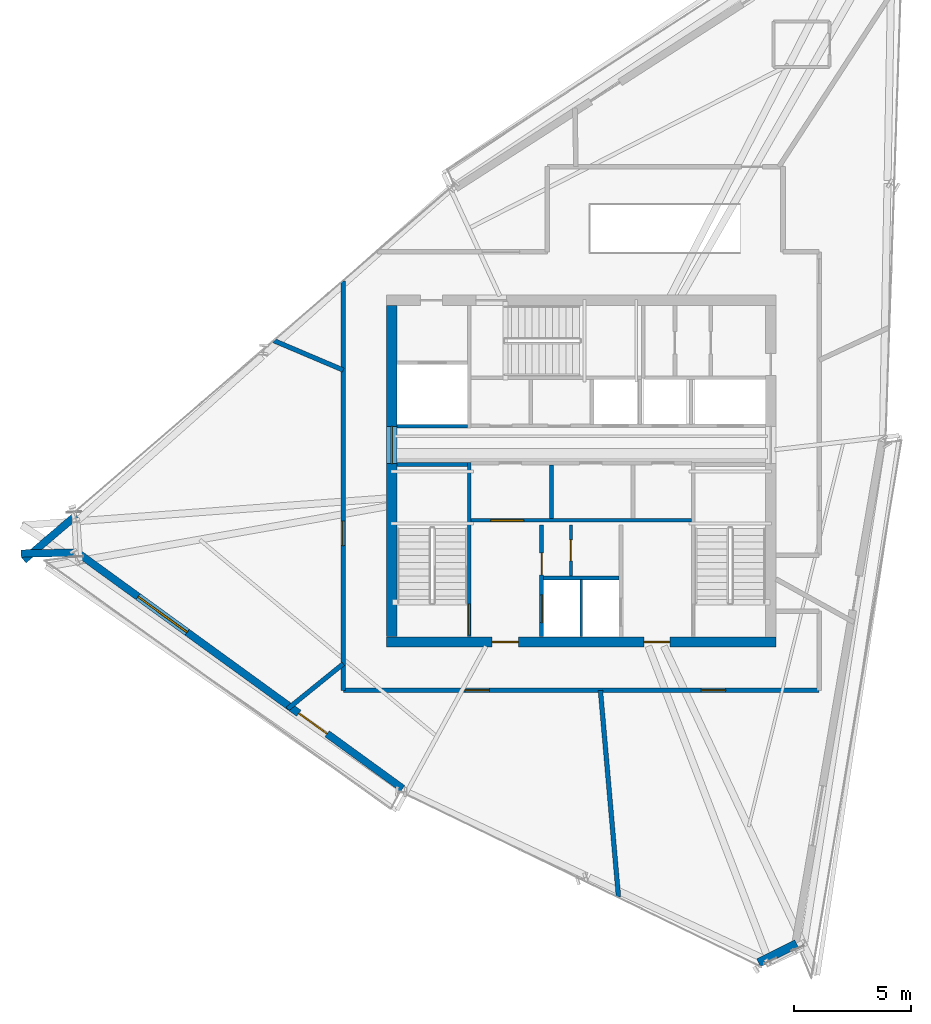
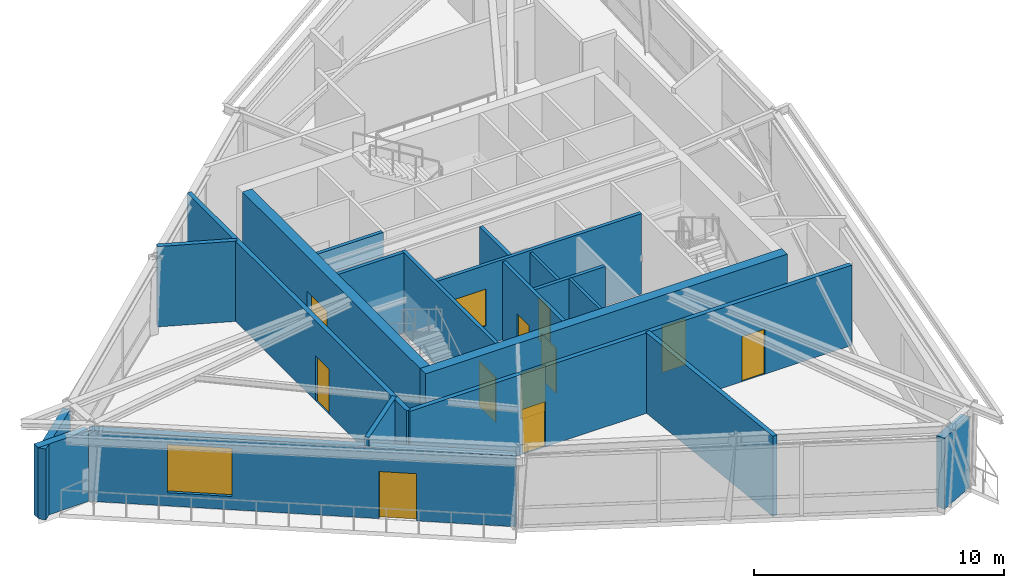
# One storey, part 17 of 22: 20 walls, 11 doors, 2 windows, 13 openings.
"""IFC4 building model written with IfcOpenShell, lengths in metres."""

import ifcopenshell
import ifcopenshell.guid

model = None  # the IFC model being written
_history = None  # IfcOwnerHistory: only IFC2X3 demands one
_inside = {}  # id of a spatial element -> (the spatial element, [elements in it])
_under = {}  # id of a project, library or spatial element -> (it, [spatial elements below it])
_declared = {}  # id of a project -> (the project, [libraries it declares])
_typed = {}  # id of a type object -> (the type object, [elements of that type])
_made_of = {}  # id of a material, layer set ... -> (it, [elements and type objects made of it])


def new_model(schema):
    """Start an empty IFC model of exactly this schema.

    Asked for "IFC4X3", IfcOpenShell would pick the latest addendum, in which some entities
    have other attributes; the version numbers below select the first issue.
    IFC2X3 requires an IfcOwnerHistory on every rooted entity: one is made here for all.
    """
    global model, _history
    if schema == "IFC4X3":
        model = ifcopenshell.file(schema_version=(4, 3, 0, 0))
    else:
        model = ifcopenshell.file(schema=schema)
    _inside.clear()
    _under.clear()
    _declared.clear()
    _typed.clear()
    _made_of.clear()
    _history = None
    if model.schema == "IFC2X3":
        org = make("IfcOrganization", Name="unknown")
        user = make(
            "IfcPersonAndOrganization",
            ThePerson=make("IfcPerson", FamilyName="unknown"),
            TheOrganization=org,
        )
        app = make(
            "IfcApplication",
            ApplicationDeveloper=org,
            Version="unknown",
            ApplicationFullName="unknown",
            ApplicationIdentifier="unknown",
        )
        _history = make(
            "IfcOwnerHistory",
            OwningUser=user,
            OwningApplication=app,
            ChangeAction="ADDED",
            CreationDate=0,
        )
    return model


def make(cls, **values):
    """One entity of the class cls with the attributes given. An attribute that is None is left unset."""
    return model.create_entity(
        cls, **{name: value for name, value in values.items() if value is not None}
    )


def rooted(cls, **values):
    """An entity with a GlobalId (a new one), such as an element, a storey or a relation."""
    return make(cls, GlobalId=ifcopenshell.guid.new(), OwnerHistory=_history, **values)


def si_unit(unit_type, name, prefix=None):
    """IfcSIUnit, for example si_unit("LENGTHUNIT", "METRE", prefix="MILLI")."""
    return make("IfcSIUnit", UnitType=unit_type, Prefix=prefix, Name=name)


def assignment(units):
    """IfcUnitAssignment: the units of a project."""
    return None if units is None else make("IfcUnitAssignment", Units=units)


def point(xyz):
    """IfcCartesianPoint."""
    return None if xyz is None else make("IfcCartesianPoint", Coordinates=xyz)


def direction(xyz):
    """IfcDirection."""
    return None if xyz is None else make("IfcDirection", DirectionRatios=xyz)


def frame(location, z_axis=None, x_axis=None):
    """IfcAxis2Placement3D, a coordinate frame: its origin and axes. An axis left out is left unset."""
    return make(
        "IfcAxis2Placement3D",
        Location=point(location),
        Axis=direction(z_axis),
        RefDirection=direction(x_axis),
    )


def frame_2d(location, x_axis=None):
    """IfcAxis2Placement2D, a coordinate frame in the plane: its origin and x axis."""
    return make(
        "IfcAxis2Placement2D", Location=point(location), RefDirection=direction(x_axis)
    )


def origin():
    """The frame at (0, 0, 0) with its axes left unset."""
    return frame((0.0, 0.0, 0.0))


def place(relative_to, where):
    """IfcLocalPlacement: puts the frame where relative to a parent placement (None: the world)."""
    return make(
        "IfcLocalPlacement", PlacementRelTo=relative_to, RelativePlacement=where
    )


def context(
    kind, dimensions, precision=None, world=None, true_north=None, identifier=None
):
    """IfcGeometricRepresentationContext, for example the 3D "Model" context."""
    return make(
        "IfcGeometricRepresentationContext",
        ContextIdentifier=identifier,
        ContextType=kind,
        CoordinateSpaceDimension=dimensions,
        Precision=precision,
        WorldCoordinateSystem=world,
        TrueNorth=true_north,
    )


def subcontext(parent, identifier, kind, view, scale=None):
    """IfcGeometricRepresentationSubContext, for example "Body" below "Model"."""
    return make(
        "IfcGeometricRepresentationSubContext",
        ContextIdentifier=identifier,
        ContextType=kind,
        ParentContext=parent,
        TargetScale=scale,
        TargetView=view,
    )


def project(units=None, contexts=None):
    """IfcProject with its units and contexts."""
    return rooted(
        "IfcProject",
        Name="project",
        RepresentationContexts=contexts,
        UnitsInContext=assignment(units),
    )


def spatial(cls, under=None, at=None, **own):
    """A site, building, storey or space (cls), placed at a placement, below another one or the project."""
    s = rooted(cls, ObjectPlacement=at, **own)
    if under is not None:
        _under.setdefault(under.id(), (under, []))[1].append(s)
    return s


def profile(cls, at=None, kind="AREA", **sizes):
    """A parametric profile (cls). Its sizes go by their IFC names, for example OverallWidth=200.0."""
    return make(cls, ProfileType=kind, Position=at, **sizes)


def rectangle(**sizes):
    """IfcRectangleProfileDef."""
    return profile("IfcRectangleProfileDef", **sizes)


def extrude(swept, where, along, depth):
    """IfcExtrudedAreaSolid: the profile swept, set in the frame where, extruded along a direction by depth."""
    return make(
        "IfcExtrudedAreaSolid",
        SweptArea=swept,
        Position=where,
        ExtrudedDirection=direction(along),
        Depth=depth,
    )


def shape(context_of_items, identifier, shape_type, items):
    """IfcShapeRepresentation: the items that make up one representation, for example the "Body"."""
    return make(
        "IfcShapeRepresentation",
        ContextOfItems=context_of_items,
        RepresentationIdentifier=identifier,
        RepresentationType=shape_type,
        Items=items,
    )


def source(mapping_origin, context_of_items, identifier, shape_type, items):
    """IfcRepresentationMap: a shape defined once, which mapped items show again and again."""
    return make(
        "IfcRepresentationMap",
        MappingOrigin=mapping_origin,
        MappedRepresentation=shape(context_of_items, identifier, shape_type, items),
    )


def transform(
    local_origin,
    x_axis=None,
    y_axis=None,
    z_axis=None,
    scale=None,
    scale2=None,
    scale3=None,
    uniform=True,
):
    """IfcCartesianTransformationOperator3D, or its non-uniform kind. x_axis, y_axis, z_axis: its Axis1, 2, 3."""
    if uniform:
        return make(
            "IfcCartesianTransformationOperator3D",
            Axis1=direction(x_axis),
            Axis2=direction(y_axis),
            LocalOrigin=point(local_origin),
            Scale=scale,
            Axis3=direction(z_axis),
        )
    return make(
        "IfcCartesianTransformationOperator3DnonUniform",
        Axis1=direction(x_axis),
        Axis2=direction(y_axis),
        LocalOrigin=point(local_origin),
        Scale=scale,
        Axis3=direction(z_axis),
        Scale2=scale2,
        Scale3=scale3,
    )


def mapped(mapping_source, mapping_target):
    """IfcMappedItem: shows the shape of a source again, moved by a transform."""
    return make(
        "IfcMappedItem", MappingSource=mapping_source, MappingTarget=mapping_target
    )


def material(Name=None, Category=None):
    """IfcMaterial."""
    return make("IfcMaterial", Name=Name, Category=Category)


def layer(
    of_material, thickness, ventilated=None, Name=None, Category=None, Priority=None
):
    """IfcMaterialLayer: one layer of a wall or slab, of a material (None: an air gap)."""
    return make(
        "IfcMaterialLayer",
        Material=of_material,
        LayerThickness=thickness,
        IsVentilated=ventilated,
        Name=Name,
        Category=Category,
        Priority=Priority,
    )


def layer_set(layers, Name=None):
    """IfcMaterialLayerSet."""
    return make("IfcMaterialLayerSet", MaterialLayers=layers, LayerSetName=Name)


def made_of(thing, what):
    """Note that an element or type object is made of a material, layer set ...; save() writes the relation."""
    if what is not None:
        _made_of.setdefault(what.id(), (what, []))[1].append(thing)
    return thing


def type_object(cls, material=None, **own):
    """A type object (cls), such as IfcWallType, which elements share."""
    return made_of(rooted(cls, **own), material)


def type_shapes(of_type, sources):
    """Give a type object the sources (RepresentationMaps) that its elements show as mapped items."""
    of_type.RepresentationMaps = sources


def element(
    cls,
    number,
    at=None,
    inside=None,
    cuts=None,
    type_object=None,
    material=None,
    context=None,
    identifier="Body",
    shape_type=None,
    held_by="IfcProductDefinitionShape",
    body=None,
    shapes=None,
    **own,
):
    """One element of the class cls, such as IfcWall. Its Tag is "e" and its number.

    at: its placement. inside: the storey or other place that contains it. cuts: it is an
    opening in that element (IfcRelVoidsElement). A single representation is given by context,
    identifier, shape_type and body (its items); several are given by shapes. held_by: the class
    of the entity that holds the representations. save() writes the other relations.
    """
    e = rooted(cls, Tag="e%d" % number, ObjectPlacement=at, **own)
    if body is not None:
        shapes = [shape(context, identifier, shape_type, body)]
    if shapes is not None:
        e.Representation = make(held_by, Representations=shapes)
    if inside is not None:
        _inside.setdefault(inside.id(), (inside, []))[1].append(e)
    if cuts is not None:
        rooted(
            "IfcRelVoidsElement", RelatingBuildingElement=cuts, RelatedOpeningElement=e
        )
    if type_object is not None:
        _typed.setdefault(type_object.id(), (type_object, []))[1].append(e)
    return made_of(e, material)


def fill(opening, filler):
    """IfcRelFillsElement: the door or window that sits in an opening."""
    return rooted(
        "IfcRelFillsElement",
        RelatingOpeningElement=opening,
        RelatedBuildingElement=filler,
    )


def aggregate(whole, parts):
    """IfcRelAggregates: a whole, such as a stair, and the parts it consists of."""
    return rooted("IfcRelAggregates", RelatingObject=whole, RelatedObjects=parts)


def save(model, path):
    """Write the relations noted so far, then the file.

    IfcRelAggregates (storeys below a building ...), IfcRelContainedInSpatialStructure (elements
    in a storey), IfcRelDefinesByType, IfcRelAssociatesMaterial and IfcRelDeclares: one each for
    every whole, place, type object, material and project.
    """
    for whole, parts in _under.values():
        aggregate(whole, parts)
    for where, things in _inside.values():
        rooted(
            "IfcRelContainedInSpatialStructure",
            RelatedElements=things,
            RelatingStructure=where,
        )
    for kind, things in _typed.values():
        rooted("IfcRelDefinesByType", RelatedObjects=things, RelatingType=kind)
    for what, things in _made_of.values():
        rooted("IfcRelAssociatesMaterial", RelatedObjects=things, RelatingMaterial=what)
    for by, libraries in _declared.values():
        rooted("IfcRelDeclares", RelatingContext=by, RelatedDefinitions=libraries)
    model.write(path)


model = new_model("IFC4")

# Units and contexts
model_context = context("Model", 3, precision=1e-05, world=origin(), true_north=direction((0.0, 1.0)))
body_context = subcontext(model_context, "Body", "Model", "MODEL_VIEW")
ifc_project = project(units=[si_unit("LENGTHUNIT", "METRE"), si_unit("AREAUNIT", "SQUARE_METRE"), si_unit("VOLUMEUNIT", "CUBIC_METRE"), si_unit("PLANEANGLEUNIT", "RADIAN"), si_unit("MASSUNIT", "GRAM", prefix="KILO")], contexts=[model_context])

# Site, building, storey
site_placement = place(None, origin())
site = spatial("IfcSite", under=ifc_project, at=site_placement, CompositionType="ELEMENT")
building_placement = place(site_placement, origin())
building = spatial("IfcBuilding", under=site, at=building_placement, Name="Olszyna Solenne Hotel", CompositionType="ELEMENT")
storey_placement = place(building_placement, frame((0.0, 0.0, 281.89990234375)))
storey = spatial("IfcBuildingStorey", under=building, at=storey_placement, Name="L75", CompositionType="ELEMENT", Elevation=281.89990234375)

# Wall, openings, doors
ifc_material_1 = material(Name="Concrete C50/60", Category="concrete")
ifc_layer_1 = layer(ifc_material_1, 0.449951171875, Name="Concrete C50/60")
ifc_layer_set_1 = layer_set([ifc_layer_1], Name="Concrete C50/60")
wall_type_1 = type_object("IfcWallType", Name="WL-CR450", PredefinedType="SHEAR", material=ifc_layer_set_1)
wall_1_placement = place(storey_placement, frame((46.35009765625, 19.27490234375, 0.0), z_axis=(0.0, 0.0, 1.0), x_axis=(-1.0, 0.0, 0.0)))
wall_1 = element("IfcWall", 1, at=wall_1_placement, inside=storey, type_object=wall_type_1, Name="Core shear wall WL-CR450 CRW-L75-S", PredefinedType="SHEAR", context=body_context, shape_type="SweptSolid", body=[
    extrude(rectangle(XDim=16.7001953125, YDim=0.449951171875, at=frame_2d((8.35009765625, 0.0))), origin(), (0.0, 0.0, 1.0), 3.920166015625),
])
opening_1_placement = place(wall_1_placement, frame((4.550048828125, 0.0, 0.0)))
opening_1 = element("IfcOpeningElement", 2, at=opening_1_placement, cuts=wall_1, Name="Opening FL-L75-1", PredefinedType="OPENING", context=body_context, shape_type="SweptSolid", body=[
    extrude(rectangle(XDim=1.1201171875, YDim=2.25, at=frame_2d((0.56005859375, 1.125))), frame((0.0, 0.23486328125, 0.0), z_axis=(0.0, -1.0, 0.0), x_axis=(1.0, 0.0, 0.0)), (0.0, 0.0, 1.0), 0.469970703125),
])
opening_2_placement = place(wall_1_placement, frame((11.050048828125, 0.0, 0.0)))
opening_2 = element("IfcOpeningElement", 3, at=opening_2_placement, cuts=wall_1, Name="Opening FL-L75-2", PredefinedType="OPENING", context=body_context, shape_type="SweptSolid", body=[
    extrude(rectangle(XDim=1.1201171875, YDim=2.25, at=frame_2d((0.56005859375, 1.125))), frame((0.0, 0.23486328125, 0.0), z_axis=(0.0, -1.0, 0.0), x_axis=(1.0, 0.0, 0.0)), (0.0, 0.0, 1.0), 0.469970703125),
])
ifc_material_2 = material(Name="Steel S355J2", Category="steel")
door_type_1 = type_object("IfcDoorType", Name="DR-FL1", OperationType="NOTDEFINED", PredefinedType="DOOR", material=ifc_material_2)
shared_shape_1 = source(origin(), body_context, "Body", "SweptSolid", [
    extrude(rectangle(XDim=1.1201171875, YDim=2.25, at=frame_2d((0.56005859375, 1.125))), frame((0.0, 0.02490234375, 0.0), z_axis=(0.0, -1.0, 0.0), x_axis=(1.0, 0.0, 0.0)), (0.0, 0.0, 1.0), 0.050048828125),
])
type_shapes(door_type_1, [shared_shape_1])
door_1_placement = place(opening_1_placement, origin())
door_1 = element("IfcDoor", 4, at=door_1_placement, inside=storey, type_object=door_type_1, Name="Firefighting lift lobby smoke door FL-L75-1", OperationType="SINGLE_SWING_LEFT", OverallHeight=2.25, OverallWidth=1.1201171875, PredefinedType="DOOR", context=body_context, shape_type="MappedRepresentation", body=[
    mapped(shared_shape_1, transform((0.0, 0.0, 0.0), x_axis=(1.0, 0.0, 0.0), y_axis=(0.0, 1.0, 0.0), z_axis=(0.0, 0.0, 1.0), scale=1.0)),
])
fill(opening_1, door_1)
door_2_placement = place(opening_2_placement, origin())
door_2 = element("IfcDoor", 5, at=door_2_placement, inside=storey, type_object=door_type_1, Name="Firefighting lift lobby smoke door FL-L75-2", OperationType="SINGLE_SWING_RIGHT", OverallHeight=2.25, OverallWidth=1.1201171875, PredefinedType="DOOR", context=body_context, shape_type="MappedRepresentation", body=[
    mapped(shared_shape_1, transform((0.0, 0.0, 0.0), x_axis=(1.0, 0.0, 0.0), y_axis=(0.0, 1.0, 0.0), z_axis=(0.0, 0.0, 1.0), scale=1.0)),
])
fill(opening_2, door_2)

# Wall, opening, door
wall_2_placement = place(storey_placement, frame((29.875, 19.5, 0.0), z_axis=(0.0, 0.0, 1.0), x_axis=(0.0, 1.0, 0.0)))
wall_2 = element("IfcWall", 6, at=wall_2_placement, inside=storey, type_object=wall_type_1, Name="Core shear wall WL-CR450 CRW-L75-W", PredefinedType="SHEAR", context=body_context, shape_type="SweptSolid", body=[
    extrude(rectangle(XDim=14.199951171875, YDim=0.449951171875, at=frame_2d((7.10009765625, 0.0))), origin(), (0.0, 0.0, 1.0), 3.920166015625),
])
opening_3_placement = place(wall_2_placement, frame((7.419921875, 0.0, 0.0)))
opening_3 = element("IfcOpeningElement", 7, at=opening_3_placement, cuts=wall_2, Name="Opening LHD-L75-W", PredefinedType="OPENING", context=body_context, shape_type="SweptSolid", body=[
    extrude(rectangle(XDim=1.60009765625, YDim=2.199951171875, at=frame_2d((0.800048828125, 1.10009765625))), frame((0.0, 0.23486328125, 0.0), z_axis=(0.0, -1.0, 0.0), x_axis=(1.0, 0.0, 0.0)), (0.0, 0.0, 1.0), 0.469970703125),
])
ifc_material_3 = material(Name="Timber hardwood", Category="wood")
door_type_2 = type_object("IfcDoorType", Name="DR-CR1", OperationType="DOUBLE_DOOR_SINGLE_SWING", PredefinedType="DOOR", material=ifc_material_3)
shared_shape_2 = source(origin(), body_context, "Body", "SweptSolid", [
    extrude(rectangle(XDim=1.60009765625, YDim=2.199951171875, at=frame_2d((0.800048828125, 1.10009765625))), frame((0.0, 0.02490234375, 0.0), z_axis=(0.0, -1.0, 0.0), x_axis=(1.0, 0.0, 0.0)), (0.0, 0.0, 1.0), 0.050048828125),
])
type_shapes(door_type_2, [shared_shape_2])
door_3_placement = place(opening_3_placement, origin())
door_3 = element("IfcDoor", 8, at=door_3_placement, inside=storey, type_object=door_type_2, Name="Passenger lift lobby West fire door LHD-L75-W", OperationType="DOUBLE_DOOR_SINGLE_SWING", OverallHeight=2.199951171875, OverallWidth=1.60009765625, PredefinedType="DOOR", context=body_context, shape_type="MappedRepresentation", body=[
    mapped(shared_shape_2, transform((0.0, 0.0, 0.0), x_axis=(1.0, 0.0, 0.0), y_axis=(0.0, 1.0, 0.0), z_axis=(0.0, 0.0, 1.0), scale=1.0)),
])
fill(opening_3, door_3)

# Wall, openings, door, window
ifc_material_4 = material(Name="Precast concrete C45/55", Category="concrete")
ifc_layer_2 = layer(ifc_material_4, 0.320068359375, Name="Precast concrete C45/55")
ifc_layer_set_2 = layer_set([ifc_layer_2], Name="Precast concrete C45/55")
wall_type_2 = type_object("IfcWallType", Name="WL-EX320", PredefinedType="SOLIDWALL", material=ifc_layer_set_2)
wall_3_placement = place(storey_placement, frame((30.342041015625, 12.992919921875, 0.0), z_axis=(0.0, 0.0, 1.0), x_axis=(-0.80942781076, 0.587219396111, 0.0)))
wall_3 = element("IfcWall", 9, at=wall_3_placement, inside=storey, type_object=wall_type_2, Name="Exterior terracotta-precast frame wall WL-EX320 EW-L75-04", PredefinedType="SOLIDWALL", context=body_context, shape_type="SweptSolid", body=[
    extrude(rectangle(XDim=17.171630859375, YDim=0.320068359375, at=frame_2d((8.5859375, 0.0))), origin(), (0.0, 0.0, 1.0), 3.462158203125),
])
opening_4_placement = place(wall_3_placement, frame((3.9951171875, 0.0, 0.0)))
opening_4 = element("IfcOpeningElement", 10, at=opening_4_placement, cuts=wall_3, Name="Opening LDG-L75-2", PredefinedType="OPENING", context=body_context, shape_type="SweptSolid", body=[
    extrude(rectangle(XDim=1.5, YDim=2.300048828125, at=frame_2d((0.75, 1.14990234375))), frame((0.0, 0.169921875, 0.0), z_axis=(0.0, -1.0, 0.0), x_axis=(1.0, 0.0, 0.0)), (0.0, 0.0, 1.0), 0.340087890625),
])
opening_5_placement = place(wall_3_placement, frame((11.406982421875, 0.0, 0.64990234375)))
opening_5 = element("IfcOpeningElement", 11, at=opening_5_placement, cuts=wall_3, Name="Opening WN-L75-498", PredefinedType="OPENING", context=body_context, shape_type="SweptSolid", body=[
    extrude(rectangle(XDim=2.60009765625, YDim=2.35009765625, at=frame_2d((1.300048828125, 1.175048828125))), frame((0.0, 0.169921875, 0.0), z_axis=(0.0, -1.0, 0.0), x_axis=(1.0, 0.0, 0.0)), (0.0, 0.0, 1.0), 0.340087890625),
])
ifc_material_5 = material(Name="Anodised bronze aluminium", Category="aluminium")
door_type_3 = type_object("IfcDoorType", Name="DR-LG2", OperationType="DOUBLE_DOOR_SINGLE_SWING", PredefinedType="DOOR", material=ifc_material_5)
shared_shape_3 = source(origin(), body_context, "Body", "SweptSolid", [
    extrude(rectangle(XDim=1.5, YDim=2.300048828125, at=frame_2d((0.75, 1.14990234375))), frame((0.0, 0.02490234375, 0.0), z_axis=(0.0, -1.0, 0.0), x_axis=(1.0, 0.0, 0.0)), (0.0, 0.0, 1.0), 0.050048828125),
])
type_shapes(door_type_3, [shared_shape_3])
door_4_placement = place(opening_4_placement, origin())
door_4 = element("IfcDoor", 12, at=door_4_placement, inside=storey, type_object=door_type_3, Name="Exterior loggia balcony door DR-LG2 LDG-L75-2", OperationType="DOUBLE_DOOR_SINGLE_SWING", OverallHeight=2.300048828125, OverallWidth=1.5, PredefinedType="DOOR", context=body_context, shape_type="MappedRepresentation", body=[
    mapped(shared_shape_3, transform((0.0, 0.0, 0.0), x_axis=(1.0, 0.0, 0.0), y_axis=(0.0, 1.0, 0.0), z_axis=(0.0, 0.0, 1.0), scale=1.0)),
])
fill(opening_4, door_4)
ifc_material_6 = material(Name="Low-E triple glazing", Category="glass")
window_type_1 = type_object("IfcWindowType", Name="WN-ST1", PartitioningType="SINGLE_PANEL", PredefinedType="WINDOW", material=ifc_material_6)
shared_shape_4 = source(origin(), body_context, "Body", "SweptSolid", [
    extrude(rectangle(XDim=2.60009765625, YDim=2.35009765625, at=frame_2d((1.300048828125, 1.175048828125))), frame((0.0, 0.030029296875, 0.0), z_axis=(0.0, -1.0, 0.0), x_axis=(1.0, 0.0, 0.0)), (0.0, 0.0, 1.0), 0.06005859375),
])
type_shapes(window_type_1, [shared_shape_4])
window_1_placement = place(opening_5_placement, origin())
window_1 = element("IfcWindow", 13, at=window_1_placement, inside=storey, type_object=window_type_1, Name="Loggia room window WN-ST1 WN-L75-498", OverallHeight=2.35009765625, OverallWidth=2.60009765625, PartitioningType="SINGLE_PANEL", PredefinedType="WINDOW", context=body_context, shape_type="MappedRepresentation", body=[
    mapped(shared_shape_4, transform((0.0, 0.0, 0.0), x_axis=(1.0, 0.0, 0.0), y_axis=(0.0, 1.0, 0.0), z_axis=(0.0, 0.0, 1.0), scale=1.0)),
])
fill(opening_5, window_1)

# Walls
wall_4_placement = place(storey_placement, frame((16.34619140625, 23.10693359375, 0.0), z_axis=(0.0, 0.0, 1.0), x_axis=(-0.99984786229, -0.01744282875, 0.0)))
element("IfcWall", 14, at=wall_4_placement, inside=storey, type_object=wall_type_2, Name="Exterior terracotta-precast frame wall WL-EX320 EW-L75-05", PredefinedType="SOLIDWALL", context=body_context, shape_type="SweptSolid", body=[
    extrude(rectangle(XDim=2.351318359375, YDim=0.320068359375, at=frame_2d((1.17578125, 0.0))), origin(), (0.0, 0.0, 1.0), 3.462158203125),
])
wall_5_placement = place(storey_placement, frame((14.101806640625, 22.7841796875, 0.0), z_axis=(0.0, 0.0, 1.0), x_axis=(0.760365209759, 0.649495764257, 0.0)))
element("IfcWall", 15, at=wall_5_placement, inside=storey, type_object=wall_type_2, Name="Exterior terracotta-precast frame wall WL-EX320 EW-L75-06", PredefinedType="SOLIDWALL", context=body_context, shape_type="SweptSolid", body=[
    extrude(rectangle(XDim=2.966064453125, YDim=0.320068359375, at=frame_2d((1.48291015625, 0.0))), origin(), (0.0, 0.0, 1.0), 3.462158203125),
])
ifc_material_7 = material(Name="Terracotta cladding on precast concrete C45/55", Category="masonry")
ifc_layer_3 = layer(ifc_material_7, 0.3798828125, Name="Terracotta cladding on precast concrete C45/55")
ifc_layer_set_3 = layer_set([ifc_layer_3], Name="Terracotta cladding on precast concrete C45/55")
wall_type_3 = type_object("IfcWallType", Name="WL-EX380", PredefinedType="SOLIDWALL", material=ifc_layer_set_3)
wall_6_placement = place(storey_placement, frame((47.23095703125, 6.337158203125, 0.0), z_axis=(0.0, 0.0, 1.0), x_axis=(-0.894131681519, -0.44780412694, 0.0)))
element("IfcWall", 16, at=wall_6_placement, inside=storey, type_object=wall_type_3, Name="Exterior terracotta-precast frame wall WL-EX380 EW-L75-02", PredefinedType="SOLIDWALL", context=body_context, shape_type="SweptSolid", body=[
    extrude(rectangle(XDim=1.81884765625, YDim=0.3798828125, at=frame_2d((0.909423828125, 0.0))), origin(), (0.0, 0.0, 1.0), 3.462158203125),
])
ifc_material_8 = material(Name="Acoustic gypsum partition", Category="gypsum")
ifc_layer_4 = layer(ifc_material_8, 0.125, Name="Acoustic gypsum partition")
ifc_layer_set_4 = layer_set([ifc_layer_4], Name="Acoustic gypsum partition")
wall_type_4 = type_object("IfcWallType", Name="WL-PT125", PredefinedType="PARTITIONING", material=ifc_layer_set_4)
wall_7_placement = place(storey_placement, frame((38.0, 19.5, 0.0), z_axis=(0.0, 0.0, 1.0), x_axis=(0.0, 1.0, 0.0)))
element("IfcWall", 17, at=wall_7_placement, inside=storey, type_object=wall_type_4, Name="Core shaft compartment wall CW-L75-FFM", PredefinedType="PARTITIONING", context=body_context, shape_type="SweptSolid", body=[
    extrude(rectangle(XDim=2.4599609375, YDim=0.125, at=frame_2d((1.22998046875, 0.0))), origin(), (0.0, 0.0, 1.0), 3.920166015625),
])

# Wall, opening, door
wall_8_placement = place(storey_placement, frame((37.553955078125, 22.10009765625, 0.0), z_axis=(0.0, 0.0, 1.0), x_axis=(0.0, 1.0, 0.0)))
wall_8 = element("IfcWall", 18, at=wall_8_placement, inside=storey, type_object=wall_type_4, Name="Core shaft compartment wall CW-L75-SC3", PredefinedType="PARTITIONING", context=body_context, shape_type="SweptSolid", body=[
    extrude(rectangle(XDim=2.179931640625, YDim=0.125, at=frame_2d((1.08984375, 0.0))), origin(), (0.0, 0.0, 1.0), 3.920166015625),
])
opening_6_placement = place(wall_8_placement, frame((0.64990234375, 0.0, 0.0)))
opening_6 = element("IfcOpeningElement", 19, at=opening_6_placement, cuts=wall_8, Name="Opening SVD-L75-SC3", PredefinedType="OPENING", context=body_context, shape_type="SweptSolid", body=[
    extrude(rectangle(XDim=0.89990234375, YDim=2.10009765625, at=frame_2d((0.449951171875, 1.050048828125))), frame((0.0, 0.072509765625, 0.0), z_axis=(0.0, -1.0, 0.0), x_axis=(1.0, 0.0, 0.0)), (0.0, 0.0, 1.0), 0.14501953125),
])
door_type_4 = type_object("IfcDoorType", Name="DR-WC1", OperationType="NOTDEFINED", PredefinedType="DOOR", material=ifc_material_3)
shared_shape_5 = source(origin(), body_context, "Body", "SweptSolid", [
    extrude(rectangle(XDim=0.89990234375, YDim=2.10009765625, at=frame_2d((0.449951171875, 1.050048828125))), frame((0.0, 0.02490234375, 0.0), z_axis=(0.0, -1.0, 0.0), x_axis=(1.0, 0.0, 0.0)), (0.0, 0.0, 1.0), 0.050048828125),
])
type_shapes(door_type_4, [shared_shape_5])
door_5_placement = place(opening_6_placement, origin())
door_5 = element("IfcDoor", 20, at=door_5_placement, inside=storey, type_object=door_type_4, Name="Trolley bay door SVD-L75-SC3", OperationType="SINGLE_SWING_LEFT", OverallHeight=2.10009765625, OverallWidth=0.89990234375, PredefinedType="DOOR", context=body_context, shape_type="MappedRepresentation", body=[
    mapped(shared_shape_5, transform((0.0, 0.0, 0.0), x_axis=(1.0, 0.0, 0.0), y_axis=(0.0, 1.0, 0.0), z_axis=(0.0, 0.0, 1.0), scale=1.0)),
])
fill(opening_6, door_5)

ifc_layer_5 = layer(ifc_material_8, 0.159912109375, Name="Acoustic gypsum partition")
ifc_layer_set_5 = layer_set([ifc_layer_5], Name="Acoustic gypsum partition")
wall_type_5 = type_object("IfcWallType", Name="WL-PT160", PredefinedType="PARTITIONING", material=ifc_layer_set_5)
wall_9_placement = place(storey_placement, frame((33.199951171875, 19.5, 0.0), z_axis=(0.0, 0.0, 1.0), x_axis=(0.0, 1.0, 0.0)))
wall_9 = element("IfcWall", 21, at=wall_9_placement, inside=storey, type_object=wall_type_5, Name="Core shaft compartment wall CW-L75-ST1E", PredefinedType="PARTITIONING", context=body_context, shape_type="SweptSolid", body=[
    extrude(rectangle(XDim=7.4599609375, YDim=0.159912109375, at=frame_2d((3.72998046875, 0.0))), origin(), (0.0, 0.0, 1.0), 3.920166015625),
])
opening_7_placement = place(wall_9_placement, frame((0.080078125, 0.0, 0.0)))
opening_7 = element("IfcOpeningElement", 22, at=opening_7_placement, cuts=wall_9, Name="Opening STD-L75-01", PredefinedType="OPENING", context=body_context, shape_type="SweptSolid", body=[
    extrude(rectangle(XDim=1.320068359375, YDim=2.199951171875, at=frame_2d((0.66015625, 1.10009765625))), frame((0.0, 0.08984375, 0.0), z_axis=(0.0, -1.0, 0.0), x_axis=(1.0, 0.0, 0.0)), (0.0, 0.0, 1.0), 0.179931640625),
])
door_type_5 = type_object("IfcDoorType", Name="DR-ST1", OperationType="NOTDEFINED", PredefinedType="DOOR", material=ifc_material_2)
shared_shape_6 = source(origin(), body_context, "Body", "SweptSolid", [
    extrude(rectangle(XDim=1.320068359375, YDim=2.199951171875, at=frame_2d((0.66015625, 1.10009765625))), frame((0.0, 0.02490234375, 0.0), z_axis=(0.0, -1.0, 0.0), x_axis=(1.0, 0.0, 0.0)), (0.0, 0.0, 1.0), 0.050048828125),
])
type_shapes(door_type_5, [shared_shape_6])
door_6_placement = place(opening_7_placement, origin())
door_6 = element("IfcDoor", 23, at=door_6_placement, inside=storey, type_object=door_type_5, Name="Pressurised exit stair ST1 fire door STD-L75-01", OperationType="SINGLE_SWING_LEFT", OverallHeight=2.199951171875, OverallWidth=1.320068359375, PredefinedType="DOOR", context=body_context, shape_type="MappedRepresentation", body=[
    mapped(shared_shape_6, transform((0.0, 0.0, 0.0), x_axis=(1.0, 0.0, 0.0), y_axis=(0.0, 1.0, 0.0), z_axis=(0.0, 0.0, 1.0), scale=1.0)),
])
fill(opening_7, door_6)

# Wall
wall_10_placement = place(storey_placement, frame((30.10009765625, 26.8798828125, 0.0), z_axis=(0.0, 0.0, 1.0), x_axis=(1.0, 0.0, 0.0)))
element("IfcWall", 24, at=wall_10_placement, inside=storey, type_object=wall_type_5, Name="Core shaft compartment wall CW-L75-ST1N", PredefinedType="PARTITIONING", context=body_context, shape_type="SweptSolid", body=[
    extrude(rectangle(XDim=3.02001953125, YDim=0.159912109375, at=frame_2d((1.510009765625, 0.0))), origin(), (0.0, 0.0, 1.0), 3.920166015625),
])

# Wall, openings, doors
wall_11_placement = place(storey_placement, frame((36.300048828125, 19.5, 0.0), z_axis=(0.0, 0.0, 1.0), x_axis=(0.0, 1.0, 0.0)))
wall_11 = element("IfcWall", 25, at=wall_11_placement, inside=storey, type_object=wall_type_5, Name="Core shaft compartment wall CW-L75-FF1W", PredefinedType="PARTITIONING", context=body_context, shape_type="SweptSolid", body=[
    extrude(rectangle(XDim=4.780029296875, YDim=0.159912109375, at=frame_2d((2.39013671875, 0.0))), origin(), (0.0, 0.0, 1.0), 3.920166015625),
])
opening_8_placement = place(wall_11_placement, frame((0.60009765625, 0.0, 0.0)))
opening_8 = element("IfcOpeningElement", 26, at=opening_8_placement, cuts=wall_11, Name="Opening LD-L75-FF1", PredefinedType="OPENING", context=body_context, shape_type="SweptSolid", body=[
    extrude(rectangle(XDim=1.199951171875, YDim=2.199951171875, at=frame_2d((0.60009765625, 1.10009765625))), frame((0.0, 0.08984375, 0.0), z_axis=(0.0, -1.0, 0.0), x_axis=(1.0, 0.0, 0.0)), (0.0, 0.0, 1.0), 0.179931640625),
])
opening_9_placement = place(wall_11_placement, frame((2.64990234375, 0.0, 0.0)))
opening_9 = element("IfcOpeningElement", 27, at=opening_9_placement, cuts=wall_11, Name="Opening SVD-L75-SMK", PredefinedType="OPENING", context=body_context, shape_type="SweptSolid", body=[
    extrude(rectangle(XDim=0.949951171875, YDim=2.10009765625, at=frame_2d((0.47509765625, 1.050048828125))), frame((0.0, 0.08984375, 0.0), z_axis=(0.0, -1.0, 0.0), x_axis=(1.0, 0.0, 0.0)), (0.0, 0.0, 1.0), 0.179931640625),
])
door_type_6 = type_object("IfcDoorType", Name="DR-SV1", OperationType="NOTDEFINED", PredefinedType="DOOR", material=ifc_material_2)
shared_shape_7 = source(origin(), body_context, "Body", "SweptSolid", [
    extrude(rectangle(XDim=0.949951171875, YDim=2.10009765625, at=frame_2d((0.47509765625, 1.050048828125))), frame((0.0, 0.02490234375, 0.0), z_axis=(0.0, -1.0, 0.0), x_axis=(1.0, 0.0, 0.0)), (0.0, 0.0, 1.0), 0.050048828125),
])
type_shapes(door_type_6, [shared_shape_7])
door_7_placement = place(opening_9_placement, origin())
door_7 = element("IfcDoor", 28, at=door_7_placement, inside=storey, type_object=door_type_6, Name="Valet and core service room door SVD-L75-SMK", OperationType="SINGLE_SWING_LEFT", OverallHeight=2.10009765625, OverallWidth=0.949951171875, PredefinedType="DOOR", context=body_context, shape_type="MappedRepresentation", body=[
    mapped(shared_shape_7, transform((0.0, 0.0, 0.0), x_axis=(1.0, 0.0, 0.0), y_axis=(0.0, 1.0, 0.0), z_axis=(0.0, 0.0, 1.0), scale=1.0)),
])
fill(opening_9, door_7)
door_type_7 = type_object("IfcDoorType", Name="LD-FF1", OperationType="DOUBLE_DOOR_SLIDING", PredefinedType="DOOR", material=ifc_material_2)
shared_shape_8 = source(origin(), body_context, "Body", "SweptSolid", [
    extrude(rectangle(XDim=1.199951171875, YDim=2.199951171875, at=frame_2d((0.60009765625, 1.10009765625))), frame((0.0, 0.02490234375, 0.0), z_axis=(0.0, -1.0, 0.0), x_axis=(1.0, 0.0, 0.0)), (0.0, 0.0, 1.0), 0.050048828125),
])
type_shapes(door_type_7, [shared_shape_8])
door_8_placement = place(opening_8_placement, origin())
door_8 = element("IfcDoor", 29, at=door_8_placement, inside=storey, type_object=door_type_7, Name="Firefighters lift FF1 sliding landing door LD-L75-FF1", OperationType="DOUBLE_DOOR_SLIDING", OverallHeight=2.199951171875, OverallWidth=1.199951171875, PredefinedType="DOOR", context=body_context, shape_type="MappedRepresentation", body=[
    mapped(shared_shape_8, transform((0.0, 0.0, 0.0), x_axis=(1.0, 0.0, 0.0), y_axis=(0.0, 1.0, 0.0), z_axis=(0.0, 0.0, 1.0), scale=1.0)),
])
fill(opening_8, door_8)

# Wall
wall_12_placement = place(storey_placement, frame((36.3798828125, 22.02001953125, 0.0), z_axis=(0.0, 0.0, 1.0), x_axis=(1.0, 0.0, 0.0)))
element("IfcWall", 30, at=wall_12_placement, inside=storey, type_object=wall_type_5, Name="Core shaft compartment wall CW-L75-FFN", PredefinedType="PARTITIONING", context=body_context, shape_type="SweptSolid", body=[
    extrude(rectangle(XDim=3.240234375, YDim=0.159912109375, at=frame_2d((1.6201171875, 0.0))), origin(), (0.0, 0.0, 1.0), 3.920166015625),
])

# Wall, opening, window
wall_13_placement = place(storey_placement, frame((33.280029296875, 24.489990234375, 0.0), z_axis=(0.0, 0.0, 1.0), x_axis=(1.0, 0.0, 0.0)))
wall_13 = element("IfcWall", 31, at=wall_13_placement, inside=storey, type_object=wall_type_5, Name="Core shaft compartment wall CW-L75-FFBN", PredefinedType="PARTITIONING", context=body_context, shape_type="SweptSolid", body=[
    extrude(rectangle(XDim=9.43994140625, YDim=0.159912109375, at=frame_2d((4.719970703125, 0.0))), origin(), (0.0, 0.0, 1.0), 3.920166015625),
])
opening_10_placement = place(wall_13_placement, frame((0.85009765625, 0.0, 0.949951171875)))
opening_10 = element("IfcOpeningElement", 32, at=opening_10_placement, cuts=wall_13, Name="Opening WNI-L75-01", PredefinedType="OPENING", context=body_context, shape_type="SweptSolid", body=[
    extrude(rectangle(XDim=1.39990234375, YDim=1.800048828125, at=frame_2d((0.699951171875, 0.89990234375))), frame((0.0, 0.08984375, 0.0), z_axis=(0.0, -1.0, 0.0), x_axis=(1.0, 0.0, 0.0)), (0.0, 0.0, 1.0), 0.179931640625),
])
window_type_2 = type_object("IfcWindowType", Name="WN-IN1", PartitioningType="SINGLE_PANEL", PredefinedType="WINDOW", material=ifc_material_6)
shared_shape_9 = source(origin(), body_context, "Body", "SweptSolid", [
    extrude(rectangle(XDim=1.39990234375, YDim=1.800048828125, at=frame_2d((0.699951171875, 0.89990234375))), frame((0.0, 0.030029296875, 0.0), z_axis=(0.0, -1.0, 0.0), x_axis=(1.0, 0.0, 0.0)), (0.0, 0.0, 1.0), 0.06005859375),
])
type_shapes(window_type_2, [shared_shape_9])
window_2_placement = place(opening_10_placement, origin())
window_2 = element("IfcWindow", 33, at=window_2_placement, inside=storey, type_object=window_type_2, Name="Borrowed-light acoustic screen window WNI-L75-01", OverallHeight=1.800048828125, OverallWidth=1.39990234375, PartitioningType="SINGLE_PANEL", PredefinedType="WINDOW", context=body_context, shape_type="MappedRepresentation", body=[
    mapped(shared_shape_9, transform((0.0, 0.0, 0.0), x_axis=(1.0, 0.0, 0.0), y_axis=(0.0, 1.0, 0.0), z_axis=(0.0, 0.0, 1.0), scale=1.0)),
])
fill(opening_10, window_2)

# Walls
wall_14_placement = place(storey_placement, frame((30.10009765625, 28.52001953125, 0.0), z_axis=(0.0, 0.0, 1.0), x_axis=(1.0, 0.0, 0.0)))
element("IfcWall", 34, at=wall_14_placement, inside=storey, type_object=wall_type_5, Name="Core shaft compartment wall CW-L75-SV1S", PredefinedType="PARTITIONING", context=body_context, shape_type="SweptSolid", body=[
    extrude(rectangle(XDim=3.02001953125, YDim=0.159912109375, at=frame_2d((1.510009765625, 0.0))), origin(), (0.0, 0.0, 1.0), 3.920166015625),
])
wall_15_placement = place(storey_placement, frame((36.72998046875, 24.56005859375, 0.0), z_axis=(0.0, 0.0, 1.0), x_axis=(0.0, 1.0, 0.0)))
element("IfcWall", 35, at=wall_15_placement, inside=storey, type_object=wall_type_5, Name="Core shaft compartment wall CW-L75-LV7DIV1", PredefinedType="PARTITIONING", context=body_context, shape_type="SweptSolid", body=[
    extrude(rectangle(XDim=2.31005859375, YDim=0.159912109375, at=frame_2d((1.155029296875, 0.0))), origin(), (0.0, 0.0, 1.0), 3.920166015625),
])
ifc_layer_6 = layer(ifc_material_8, 0.199951171875, Name="Acoustic gypsum partition")
ifc_layer_set_6 = layer_set([ifc_layer_6], Name="Acoustic gypsum partition")
wall_type_6 = type_object("IfcWallType", Name="WL-PT200", PredefinedType="PARTITIONING", material=ifc_layer_set_6)
wall_16_placement = place(storey_placement, frame((27.800048828125, 30.9296875, 0.0), z_axis=(0.0, 0.0, 1.0), x_axis=(-0.920507458903, 0.390724990376, 0.0)))
element("IfcWall", 36, at=wall_16_placement, inside=storey, type_object=wall_type_6, Name="Interior acoustic partition WL-PT200 PW-L75-4100", PredefinedType="PARTITIONING", context=body_context, shape_type="SweptSolid", body=[
    extrude(rectangle(XDim=3.2216796875, YDim=0.199951171875, at=frame_2d((1.61083984375, 0.0))), origin(), (0.0, 0.0, 1.0), 3.920166015625),
])
wall_17_placement = place(storey_placement, frame((27.800048828125, 18.340087890625, 0.0), z_axis=(0.0, 0.0, 1.0), x_axis=(-0.777170804973, -0.629289710625, 0.0)))
element("IfcWall", 37, at=wall_17_placement, inside=storey, type_object=wall_type_6, Name="Interior acoustic partition WL-PT200 PW-L75-4101", PredefinedType="PARTITIONING", context=body_context, shape_type="SweptSolid", body=[
    extrude(rectangle(XDim=3.07080078125, YDim=0.199951171875, at=frame_2d((1.535400390625, 0.0))), origin(), (0.0, 0.0, 1.0), 3.920166015625),
])
wall_18_placement = place(storey_placement, frame((38.822509765625, 17.199951171875, 0.0), z_axis=(0.0, 0.0, 1.0), x_axis=(0.087143086854, -0.996195805258, 0.0)))
element("IfcWall", 38, at=wall_18_placement, inside=storey, type_object=wall_type_6, Name="Interior acoustic partition WL-PT200 PW-L75-4102", PredefinedType="PARTITIONING", context=body_context, shape_type="SweptSolid", body=[
    extrude(rectangle(XDim=8.8837890625, YDim=0.199951171875, at=frame_2d((4.44189453125, 0.0))), origin(), (0.0, 0.0, 1.0), 3.920166015625),
])

# Wall, openings, doors
wall_19_placement = place(storey_placement, frame((27.800048828125, 17.199951171875, 0.0), z_axis=(0.0, 0.0, 1.0), x_axis=(1.0, 0.0, 0.0)))
wall_19 = element("IfcWall", 39, at=wall_19_placement, inside=storey, type_object=wall_type_6, Name="Interior acoustic partition WL-PT200 PW-L75-4110", PredefinedType="PARTITIONING", context=body_context, shape_type="SweptSolid", body=[
    extrude(rectangle(XDim=20.39990234375, YDim=0.199951171875, at=frame_2d((10.199951171875, 0.0))), origin(), (0.0, 0.0, 1.0), 3.920166015625),
])
opening_11_placement = place(wall_19_placement, frame((5.208984375, 0.0, 0.0)))
opening_11 = element("IfcOpeningElement", 40, at=opening_11_placement, cuts=wall_19, Name="Opening DR-L75-0991", PredefinedType="OPENING", context=body_context, shape_type="SweptSolid", body=[
    extrude(rectangle(XDim=1.050048828125, YDim=2.199951171875, at=frame_2d((0.52490234375, 1.10009765625))), frame((0.0, 0.10986328125, 0.0), z_axis=(0.0, -1.0, 0.0), x_axis=(1.0, 0.0, 0.0)), (0.0, 0.0, 1.0), 0.219970703125),
])
opening_12_placement = place(wall_19_placement, frame((15.339111328125, 0.0, 0.0)))
opening_12 = element("IfcOpeningElement", 41, at=opening_12_placement, cuts=wall_19, Name="Opening DR-L75-0992", PredefinedType="OPENING", context=body_context, shape_type="SweptSolid", body=[
    extrude(rectangle(XDim=1.050048828125, YDim=2.199951171875, at=frame_2d((0.52490234375, 1.10009765625))), frame((0.0, 0.10986328125, 0.0), z_axis=(0.0, -1.0, 0.0), x_axis=(1.0, 0.0, 0.0)), (0.0, 0.0, 1.0), 0.219970703125),
])
door_type_8 = type_object("IfcDoorType", Name="DR-RM2", OperationType="NOTDEFINED", PredefinedType="DOOR", material=ifc_material_3)
shared_shape_10 = source(origin(), body_context, "Body", "SweptSolid", [
    extrude(rectangle(XDim=1.050048828125, YDim=2.199951171875, at=frame_2d((0.52490234375, 1.10009765625))), frame((0.0, 0.02490234375, 0.0), z_axis=(0.0, -1.0, 0.0), x_axis=(1.0, 0.0, 0.0)), (0.0, 0.0, 1.0), 0.050048828125),
])
type_shapes(door_type_8, [shared_shape_10])
door_9_placement = place(opening_11_placement, origin())
door_9 = element("IfcDoor", 42, at=door_9_placement, inside=storey, type_object=door_type_8, Name="Culinary Show Kitchen Entrance Door DR-L75-0991", OperationType="SINGLE_SWING_RIGHT", OverallHeight=2.199951171875, OverallWidth=1.050048828125, PredefinedType="DOOR", context=body_context, shape_type="MappedRepresentation", body=[
    mapped(shared_shape_10, transform((0.0, 0.0, 0.0), x_axis=(1.0, 0.0, 0.0), y_axis=(0.0, 1.0, 0.0), z_axis=(0.0, 0.0, 1.0), scale=1.0)),
])
fill(opening_11, door_9)
door_10_placement = place(opening_12_placement, origin())
door_10 = element("IfcDoor", 43, at=door_10_placement, inside=storey, type_object=door_type_8, Name="Private Sommelier Dining Salon Entrance Door DR-L75-0992", OperationType="SINGLE_SWING_LEFT", OverallHeight=2.199951171875, OverallWidth=1.050048828125, PredefinedType="DOOR", context=body_context, shape_type="MappedRepresentation", body=[
    mapped(shared_shape_10, transform((0.0, 0.0, 0.0), x_axis=(1.0, 0.0, 0.0), y_axis=(0.0, 1.0, 0.0), z_axis=(0.0, 0.0, 1.0), scale=1.0)),
])
fill(opening_12, door_10)

# Wall, opening, door
wall_20_placement = place(storey_placement, frame((27.800048828125, 17.199951171875, 0.0), z_axis=(0.0, 0.0, 1.0), x_axis=(0.0, 1.0, 0.0)))
wall_20 = element("IfcWall", 44, at=wall_20_placement, inside=storey, type_object=wall_type_6, Name="Interior acoustic partition WL-PT200 PW-L75-4111", PredefinedType="PARTITIONING", context=body_context, shape_type="SweptSolid", body=[
    extrude(rectangle(XDim=17.54443359375, YDim=0.199951171875, at=frame_2d((8.772216796875, 0.0))), origin(), (0.0, 0.0, 1.0), 3.920166015625),
])
opening_13_placement = place(wall_20_placement, frame((6.205078125, 0.0, 0.0)))
opening_13 = element("IfcOpeningElement", 45, at=opening_13_placement, cuts=wall_20, Name="Opening DR-L75-0993", PredefinedType="OPENING", context=body_context, shape_type="SweptSolid", body=[
    extrude(rectangle(XDim=1.050048828125, YDim=2.199951171875, at=frame_2d((0.52490234375, 1.10009765625))), frame((0.0, 0.10986328125, 0.0), z_axis=(0.0, -1.0, 0.0), x_axis=(1.0, 0.0, 0.0)), (0.0, 0.0, 1.0), 0.219970703125),
])
door_11_placement = place(opening_13_placement, origin())
door_11 = element("IfcDoor", 46, at=door_11_placement, inside=storey, type_object=door_type_8, Name="Sky Bar and Cocktail Lounge Entrance Door DR-L75-0993", OperationType="SINGLE_SWING_LEFT", OverallHeight=2.199951171875, OverallWidth=1.050048828125, PredefinedType="DOOR", context=body_context, shape_type="MappedRepresentation", body=[
    mapped(shared_shape_10, transform((0.0, 0.0, 0.0), x_axis=(1.0, 0.0, 0.0), y_axis=(0.0, 1.0, 0.0), z_axis=(0.0, 0.0, 1.0), scale=1.0)),
])
fill(opening_13, door_11)

save(model, "model.ifc")
